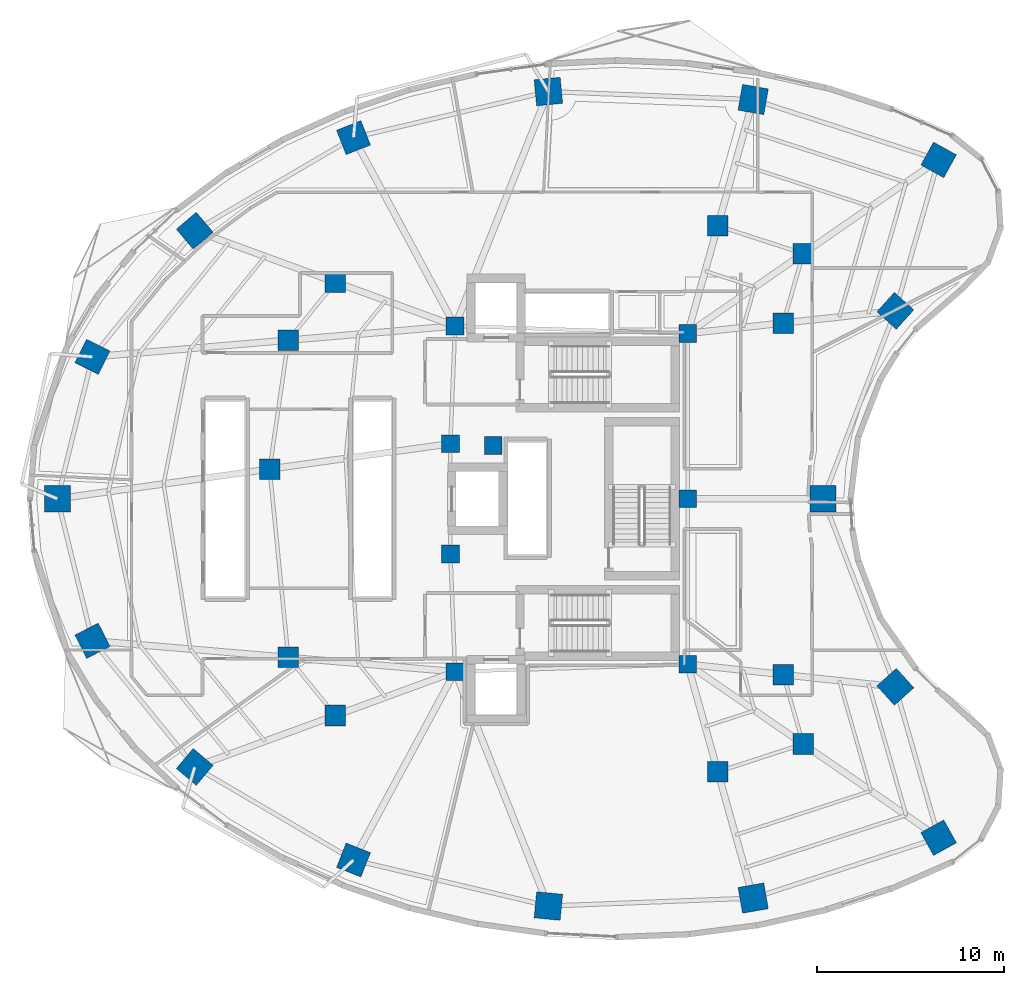
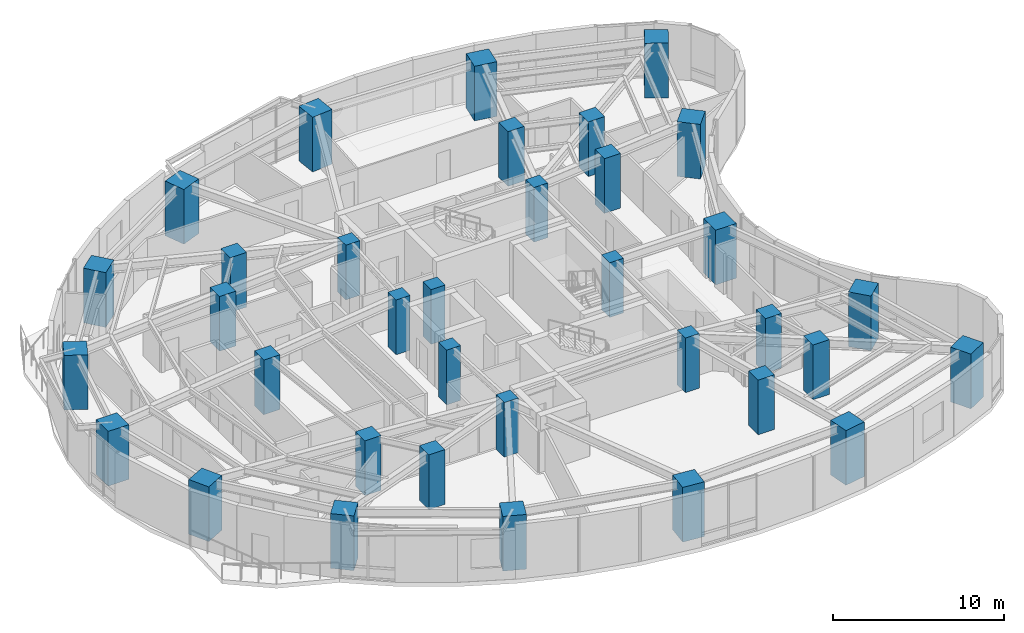
# One storey, part 1 of 15: 35 columns.
"""IFC4 building model written with IfcOpenShell, lengths in metres."""

from ifc_helpers import new_model, si_unit, direction, frame, origin, origin_2d, place, context, subcontext, project, spatial, rectangle, extrude, material, material_profile, profile_set, type_object, element, save


model = new_model("IFC4")

# Units and contexts
model_context = context("Model", 3, precision=1e-05, world=origin(), true_north=direction((0.0, 1.0)))
body_context = subcontext(model_context, "Body", "Model", "MODEL_VIEW")
ifc_project = project(units=[si_unit("LENGTHUNIT", "METRE"), si_unit("AREAUNIT", "SQUARE_METRE"), si_unit("VOLUMEUNIT", "CUBIC_METRE"), si_unit("PLANEANGLEUNIT", "RADIAN"), si_unit("MASSUNIT", "GRAM", prefix="KILO")], contexts=[model_context])

# Site, building, storey
site_placement = place(None, origin())
site = spatial("IfcSite", under=ifc_project, at=site_placement, CompositionType="ELEMENT")
building_placement = place(site_placement, origin())
building = spatial("IfcBuilding", under=site, at=building_placement, Name="Korentha Bioscience Tower", CompositionType="ELEMENT")
storey_placement = place(building_placement, frame((0.0, 0.0, 30.0)))
storey = spatial("IfcBuildingStorey", under=building, at=storey_placement, Name="L06", CompositionType="ELEMENT", Elevation=30.0)

# Columns
ifc_material_1 = material(Name="Concrete C65", Category="concrete")
ifc_material_profile_1 = material_profile(ifc_material_1, rectangle(XDim=0.949951171875, YDim=0.949951171875, at=origin_2d()), Name="Concrete C65")
ifc_profile_set_1 = profile_set([ifc_material_profile_1], Name="Concrete C65 (COL-CP09)")
column_type_1 = type_object("IfcColumnType", Name="Core Pilaster Column RC 950x950", PredefinedType="PILASTER", material=ifc_profile_set_1)
for number, where, z_axis, x_axis, name in (
    (1, (37.550048828125, 35.85009765625, -0.00048828125), (0.0, 0.0, 1.0), (1.0, 0.0, 0.0), "L06 Core Pilaster CP-01"),
    (2, (25.10009765625, 36.25, -0.00048828125), (0.0, 0.0, 1.0), (1.0, 0.0, 0.0), "L06 Core Pilaster CP-02"),
    (3, (24.85009765625, 29.949951171875, -0.00048828125), (0.0, 0.0, 1.0), (1.0, 0.0, 0.0), "L06 Core Pilaster CP-03"),
    (4, (27.14990234375, 29.85009765625, -0.00048828125), (0.0, 0.0, 1.0), (1.0, 0.0, 0.0), "L06 Core Pilaster CP-04"),
    (5, (24.85009765625, 24.050048828125, -0.00048828125), (0.0, 0.0, 1.0), (1.0, 0.0, 0.0), "L06 Core Pilaster CP-05"),
    (6, (25.10009765625, 17.75, -0.00048828125), (0.0, 0.0, 1.0), (1.0, 0.0, 0.0), "L06 Core Pilaster CP-06"),
    (7, (37.550048828125, 18.14990234375, -0.00048828125), (0.0, 0.0, 1.0), (1.0, 0.0, 0.0), "L06 Core Pilaster CP-07"),
    (8, (37.550048828125, 27.0, -0.00048828125), (0.0, 0.0, 1.0), (1.0, 0.0, 0.0), "L06 Core Pilaster CP-08"),
):
    element("IfcColumn", number, at=place(storey_placement, frame(where, z_axis=z_axis, x_axis=x_axis)), inside=storey, type_object=column_type_1, Name=name, PredefinedType="PILASTER", context=body_context, shape_type="SweptSolid", body=[
        extrude(rectangle(XDim=0.949951171875, YDim=0.949951171875, at=origin_2d()), origin(), (0.0, 0.0, 1.0), 3.90087890625),
    ])
ifc_material_2 = material(Name="Concrete C80", Category="concrete")
ifc_material_profile_2 = material_profile(ifc_material_2, rectangle(XDim=1.10009765625, YDim=1.10009765625, at=origin_2d()), Name="Concrete C80")
ifc_profile_set_2 = profile_set([ifc_material_profile_2], Name="Concrete C80 (COL-MR11)")
column_type_2 = type_object("IfcColumnType", Name="Mid-Ring Lab Column RC 1100x1100", PredefinedType="COLUMN", material=ifc_profile_set_2)
for number, where, z_axis, x_axis, name in (
    (9, (43.7265625, 40.121337890625, -0.00048828125), (0.0, 0.0, 1.0), (1.0, 0.0, 0.0), "L06 Mid-Ring Column 01"),
    (10, (39.1611328125, 41.607666015625, -0.00048828125), (0.0, 0.0, 1.0), (1.0, 0.0, 0.0), "L06 Mid-Ring Column 02"),
    (11, (18.692138671875, 38.5947265625, -0.00048828125), (0.0, 0.0, 1.0), (1.0, 0.0, 0.0), "L06 Mid-Ring Column 05"),
    (12, (16.174072265625, 35.489013671875, -0.00048828125), (0.0, 0.0, 1.0), (1.0, 0.0, 0.0), "L06 Mid-Ring Column 06"),
    (13, (15.1787109375, 28.593505859375, -0.00048828125), (0.0, 0.0, 1.0), (1.0, 0.0, 0.0), "L06 Mid-Ring Column 07"),
    (14, (16.174072265625, 18.510986328125, -0.00048828125), (0.0, 0.0, 1.0), (1.0, 0.0, 0.0), "L06 Mid-Ring Column 08"),
    (15, (18.692138671875, 15.4052734375, -0.00048828125), (0.0, 0.0, 1.0), (1.0, 0.0, 0.0), "L06 Mid-Ring Column 09"),
    (16, (39.1611328125, 12.392333984375, -0.00048828125), (0.0, 0.0, 1.0), (1.0, 0.0, 0.0), "L06 Mid-Ring Column 12"),
    (17, (43.7265625, 13.878662109375, -0.00048828125), (0.0, 0.0, 1.0), (1.0, 0.0, 0.0), "L06 Mid-Ring Column 13"),
    (18, (42.66162109375, 17.593017578125, -0.00048828125), (0.0, 0.0, 1.0), (1.0, 0.0, 0.0), "L06 Mid-Ring Column 14"),
    (19, (42.66162109375, 36.406982421875, -0.00048828125), (0.0, 0.0, 1.0), (1.0, 0.0, 0.0), "L06 Mid-Ring Column 16"),
):
    element("IfcColumn", number, at=place(storey_placement, frame(where, z_axis=z_axis, x_axis=x_axis)), inside=storey, type_object=column_type_2, Name=name, PredefinedType="COLUMN", context=body_context, shape_type="SweptSolid", body=[
        extrude(rectangle(XDim=1.10009765625, YDim=1.10009765625, at=origin_2d()), origin(), (0.0, 0.0, 1.0), 3.90087890625),
    ])
ifc_material_profile_3 = material_profile(ifc_material_2, rectangle(XDim=1.39990234375, YDim=1.39990234375, at=origin_2d()), Name="Concrete C80")
ifc_profile_set_3 = profile_set([ifc_material_profile_3], Name="Concrete C80 (COL-P14)")
column_type_3 = type_object("IfcColumnType", Name="Perimeter Column RC 1400x1400", PredefinedType="COLUMN", material=ifc_profile_set_3)
for number, where, z_axis, x_axis, name in (
    (20, (50.977294921875, 45.135498046875, -0.00048828125), (0.0, 0.0, 1.0), (-0.874535078577, 0.484962262797, 0.0), "L06 Perimeter Column 01"),
    (21, (41.052490234375, 48.36669921875, -0.00048828125), (0.0, 0.0, 1.0), (-0.984868307662, 0.173304404339, 0.0), "L06 Perimeter Column 02"),
    (22, (30.09423828125, 48.79248046875, -0.00048828125), (0.0, 0.0, 1.0), (0.995462868748, 0.095150811579, 0.0), "L06 Perimeter Column 03"),
    (23, (19.66650390625, 46.328857421875, -0.00048828125), (0.0, 0.0, 1.0), (0.930225540858, 0.366988341962, 0.0), "L06 Perimeter Column 04"),
    (24, (11.169921875, 41.34716796875, -0.00048828125), (0.0, 0.0, 1.0), (0.764246456939, 0.644924300253, 0.0), "L06 Perimeter Column 05"),
    (25, (5.69580078125, 34.595703125, -0.00048828125), (0.0, 0.0, 1.0), (0.453057191132, 0.891481453292, 0.0), "L06 Perimeter Column 06"),
    (26, (3.825439453125, 27.000732421875, -0.00048828125), (0.0, 0.0, 1.0), (0.0, 1.0, 0.0), "L06 Perimeter Column 07"),
    (27, (5.69580078125, 19.404296875, -0.00048828125), (0.0, 0.0, 1.0), (-0.453057191132, 0.891481453292, 0.0), "L06 Perimeter Column 08"),
    (28, (11.169921875, 12.65283203125, -0.00048828125), (0.0, 0.0, 1.0), (-0.764246456939, 0.644924300253, 0.0), "L06 Perimeter Column 09"),
    (29, (19.66650390625, 7.671142578125, -0.00048828125), (0.0, 0.0, 1.0), (-0.930225540858, 0.366988341962, 0.0), "L06 Perimeter Column 10"),
    (30, (30.09423828125, 5.20751953125, -0.00048828125), (0.0, 0.0, 1.0), (-0.995462868748, 0.095150811579, 0.0), "L06 Perimeter Column 11"),
    (31, (41.052490234375, 5.63330078125, -0.00048828125), (0.0, 0.0, 1.0), (0.984868307662, 0.173304404339, 0.0), "L06 Perimeter Column 12"),
    (32, (50.977294921875, 8.864501953125, -0.00048828125), (0.0, 0.0, 1.0), (0.874535078577, 0.484962262797, 0.0), "L06 Perimeter Column 13"),
    (33, (48.661865234375, 16.939208984375, -0.00048828125), (0.0, 0.0, 1.0), (-0.669130606359, 0.743144825477, 0.0), "L06 Perimeter Column 14"),
    (34, (44.798583984375, 27.0, -0.00048828125), (0.0, 0.0, 1.0), (0.0, 1.0, 0.0), "L06 Perimeter Column 15"),
    (35, (48.661865234375, 37.060791015625, -0.00048828125), (0.0, 0.0, 1.0), (0.669130606359, 0.743144825477, 0.0), "L06 Perimeter Column 16"),
):
    element("IfcColumn", number, at=place(storey_placement, frame(where, z_axis=z_axis, x_axis=x_axis)), inside=storey, type_object=column_type_3, Name=name, PredefinedType="COLUMN", context=body_context, shape_type="SweptSolid", body=[
        extrude(rectangle(XDim=1.39990234375, YDim=1.39990234375, at=origin_2d()), origin(), (0.0, 0.0, 1.0), 3.90087890625),
    ])

save(model, "model.ifc")
